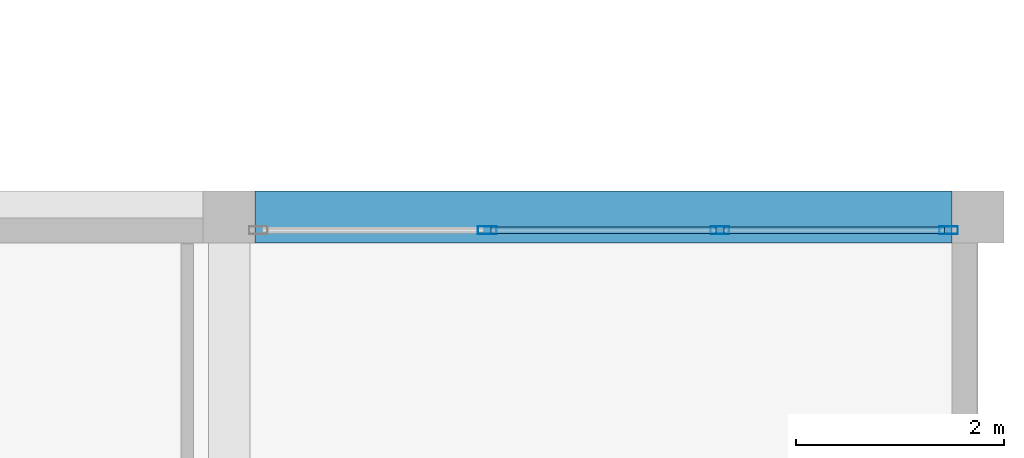
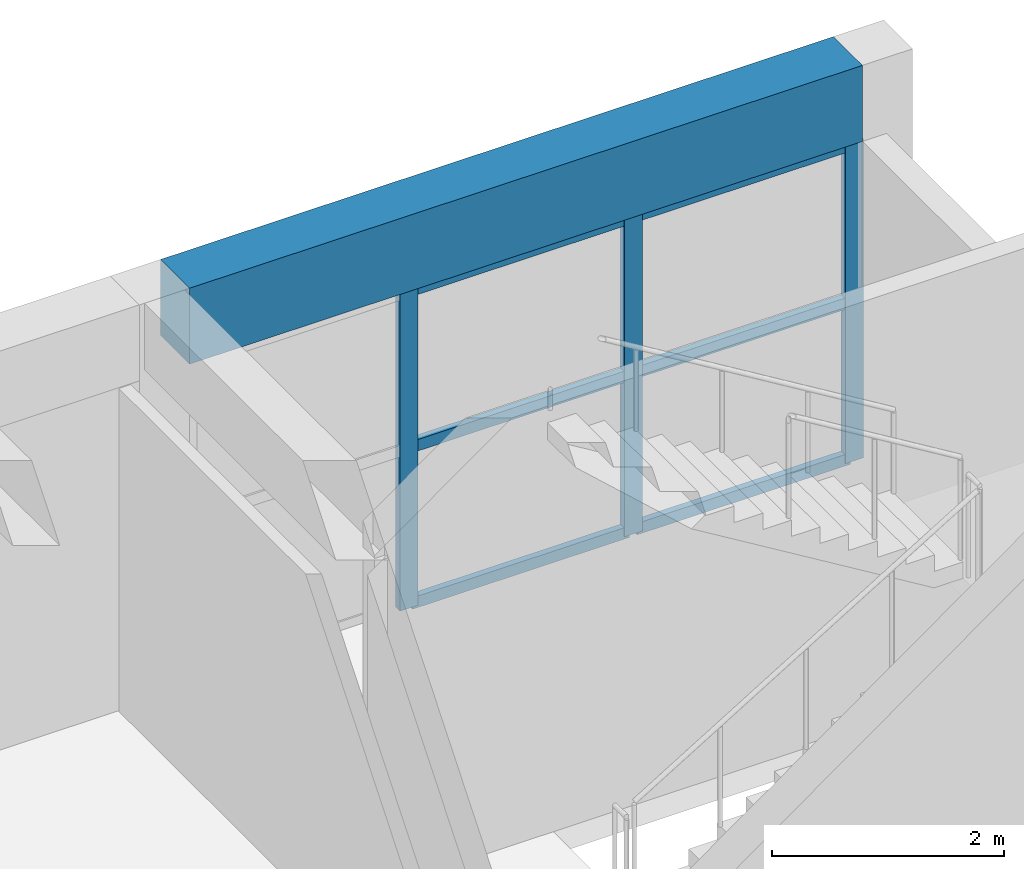
# One storey, part 114 of 153: 9 members, 1 beam, 1 element without a shape of its own.
"""IFC4 building model written with IfcOpenShell, lengths in metres."""

from ifc_helpers import new_model, si_unit, direction, frame, origin, origin_2d, place, context, subcontext, project, spatial, rectangle, hollow_rectangle, extrude, material, material_profile, profile_set, type_object, element, aggregate, save


model = new_model("IFC4")

# Units and contexts
model_context = context("Model", 3, precision=1e-05, world=origin(), true_north=direction((0.0, 1.0)))
body_context = subcontext(model_context, "Body", "Model", "MODEL_VIEW")
ifc_project = project(units=[si_unit("LENGTHUNIT", "METRE"), si_unit("AREAUNIT", "SQUARE_METRE"), si_unit("VOLUMEUNIT", "CUBIC_METRE"), si_unit("PLANEANGLEUNIT", "RADIAN"), si_unit("MASSUNIT", "GRAM", prefix="KILO")], contexts=[model_context])

# Site, building, storey
site_placement = place(None, origin())
site = spatial("IfcSite", under=ifc_project, at=site_placement, CompositionType="ELEMENT")
building_placement = place(site_placement, origin())
building = spatial("IfcBuilding", under=site, at=building_placement, Name="Bramvelor Terrace Health Centre", CompositionType="ELEMENT")
storey_placement = place(building_placement, frame((0.0, 0.0, 4.800048828125)))
storey = spatial("IfcBuildingStorey", under=building, at=storey_placement, Name="L02", CompositionType="ELEMENT", Elevation=4.800048828125)

# Beam
ifc_material_1 = material(Name="Concrete C40/50", Category="concrete")
ifc_material_profile_1 = material_profile(ifc_material_1, rectangle(XDim=0.5, YDim=0.800048828125, at=origin_2d()), Name="RC 500x800")
ifc_profile_set_1 = profile_set([ifc_material_profile_1], Name="Concrete C40/50")
beam_type = type_object("IfcBeamType", Name="BM-RC-G800", PredefinedType="BEAM", material=ifc_profile_set_1)
beam_placement = place(storey_placement, frame((158.64990234375, 64.800048828125, 3.800048828125), z_axis=(1.0, 0.0, 0.0), x_axis=(0.0, 1.0, 0.0)))
element("IfcBeam", 1, at=beam_placement, inside=storey, type_object=beam_type, Name="L02 Floor Girder", PredefinedType="BEAM", context=body_context, shape_type="SweptSolid", body=[
    extrude(rectangle(XDim=0.5, YDim=0.800048828125, at=origin_2d()), origin(), (0.0, 0.0, 1.0), 6.7001953125),
])

# Curtain wall, members
ifc_material_2 = material(Name="Anodized aluminium and double low-E glass", Category="aluminium")
curtain_wall_type = type_object("IfcCurtainWallType", Name="CW-SYS-16", PredefinedType="NOTDEFINED", material=ifc_material_2)
curtain_wall_placement = place(storey_placement, origin())
curtain_wall = element("IfcCurtainWall", 2, at=curtain_wall_placement, inside=storey, type_object=curtain_wall_type, Name="L02 Unitized Curtain Wall 105", PredefinedType="NOTDEFINED")
ifc_material_3 = material(Name="Anodized aluminium 6063-T6", Category="aluminium")
ifc_material_profile_2 = material_profile(ifc_material_3, hollow_rectangle(XDim=0.074951171875, YDim=0.179931640625, WallThickness=0.00341796875, at=origin_2d()), Name="ALU-MUL 75x180x3.5")
ifc_profile_set_2 = profile_set([ifc_material_profile_2], Name="Anodized aluminium 6063-T6")
member_type_1 = type_object("IfcMemberType", Name="CW-MUL-65x180", PredefinedType="MULLION", material=ifc_profile_set_2)
member_1_placement = place(storey_placement, frame((160.881591796875, 64.669921875, 0.0), z_axis=(0.0, 0.0, 1.0), x_axis=(0.0, 1.0, 0.0)))
member_1 = element("IfcMember", 3, at=member_1_placement, type_object=member_type_1, Name="CW-16 mullion 2", PredefinedType="MULLION", context=body_context, shape_type="SweptSolid", body=[
    extrude(hollow_rectangle(XDim=0.074951171875, YDim=0.179931640625, WallThickness=0.00341796875, at=origin_2d()), origin(), (0.0, 0.0, 1.0), 3.35986328125),
])
member_2_placement = place(storey_placement, frame((163.118408203125, 64.669921875, 0.0), z_axis=(0.0, 0.0, 1.0), x_axis=(0.0, 1.0, 0.0)))
member_2 = element("IfcMember", 4, at=member_2_placement, type_object=member_type_1, Name="CW-16 mullion 3", PredefinedType="MULLION", context=body_context, shape_type="SweptSolid", body=[
    extrude(hollow_rectangle(XDim=0.074951171875, YDim=0.179931640625, WallThickness=0.00341796875, at=origin_2d()), origin(), (0.0, 0.0, 1.0), 3.35986328125),
])
member_3_placement = place(storey_placement, frame((165.3173828125, 64.669921875, 0.0), z_axis=(0.0, 0.0, 1.0), x_axis=(0.0, 1.0, 0.0)))
member_3 = element("IfcMember", 5, at=member_3_placement, type_object=member_type_1, Name="CW-16 mullion 4", PredefinedType="MULLION", context=body_context, shape_type="SweptSolid", body=[
    extrude(hollow_rectangle(XDim=0.074951171875, YDim=0.179931640625, WallThickness=0.00341796875, at=origin_2d()), origin(), (0.0, 0.0, 1.0), 3.35986328125),
])
ifc_material_4 = material(Name="Anodized aluminium 6063-T6", Category="aluminium")
ifc_material_profile_3 = material_profile(ifc_material_4, hollow_rectangle(XDim=0.06494140625, YDim=0.1201171875, WallThickness=0.0029296875, at=origin_2d()), Name="ALU-TRN 65x120x3.0")
ifc_profile_set_3 = profile_set([ifc_material_profile_3], Name="Anodized aluminium 6063-T6")
member_type_2 = type_object("IfcMemberType", Name="CW-TRN-65x150", PredefinedType="USERDEFINED", material=ifc_profile_set_3)
member_4_placement = place(storey_placement, frame((160.919189453125, 64.669921875, 0.032470703125), z_axis=(1.0, 0.0, 0.0), x_axis=(0.0, 1.0, 0.0)))
member_4 = element("IfcMember", 6, at=member_4_placement, type_object=member_type_2, Name="CW-16 transom 2.1", ObjectType="TRANSOM", PredefinedType="USERDEFINED", context=body_context, shape_type="SweptSolid", body=[
    extrude(hollow_rectangle(XDim=0.06494140625, YDim=0.1201171875, WallThickness=0.0029296875, at=origin_2d()), origin(), (0.0, 0.0, 1.0), 2.16162109375),
])
member_5_placement = place(storey_placement, frame((160.919189453125, 64.669921875, 1.679931640625), z_axis=(1.0, 0.0, 0.0), x_axis=(0.0, 1.0, 0.0)))
member_5 = element("IfcMember", 7, at=member_5_placement, type_object=member_type_2, Name="CW-16 transom 2.2", ObjectType="TRANSOM", PredefinedType="USERDEFINED", context=body_context, shape_type="SweptSolid", body=[
    extrude(hollow_rectangle(XDim=0.06494140625, YDim=0.1201171875, WallThickness=0.0029296875, at=origin_2d()), origin(), (0.0, 0.0, 1.0), 2.16162109375),
])
member_6_placement = place(storey_placement, frame((160.919189453125, 64.669921875, 3.327392578125), z_axis=(1.0, 0.0, 0.0), x_axis=(0.0, 1.0, 0.0)))
member_6 = element("IfcMember", 8, at=member_6_placement, type_object=member_type_2, Name="CW-16 transom 2.3", ObjectType="TRANSOM", PredefinedType="USERDEFINED", context=body_context, shape_type="SweptSolid", body=[
    extrude(hollow_rectangle(XDim=0.06494140625, YDim=0.1201171875, WallThickness=0.0029296875, at=origin_2d()), origin(), (0.0, 0.0, 1.0), 2.16162109375),
])
member_7_placement = place(storey_placement, frame((163.15576171875, 64.669921875, 0.032470703125), z_axis=(1.0, 0.0, 0.0), x_axis=(0.0, 1.0, 0.0)))
member_7 = element("IfcMember", 9, at=member_7_placement, type_object=member_type_2, Name="CW-16 transom 3.1", ObjectType="TRANSOM", PredefinedType="USERDEFINED", context=body_context, shape_type="SweptSolid", body=[
    extrude(hollow_rectangle(XDim=0.06494140625, YDim=0.1201171875, WallThickness=0.0029296875, at=origin_2d()), origin(), (0.0, 0.0, 1.0), 2.124267578125),
])
member_8_placement = place(storey_placement, frame((163.15576171875, 64.669921875, 1.679931640625), z_axis=(1.0, 0.0, 0.0), x_axis=(0.0, 1.0, 0.0)))
member_8 = element("IfcMember", 10, at=member_8_placement, type_object=member_type_2, Name="CW-16 transom 3.2", ObjectType="TRANSOM", PredefinedType="USERDEFINED", context=body_context, shape_type="SweptSolid", body=[
    extrude(hollow_rectangle(XDim=0.06494140625, YDim=0.1201171875, WallThickness=0.0029296875, at=origin_2d()), origin(), (0.0, 0.0, 1.0), 2.124267578125),
])
member_9_placement = place(storey_placement, frame((163.15576171875, 64.669921875, 3.327392578125), z_axis=(1.0, 0.0, 0.0), x_axis=(0.0, 1.0, 0.0)))
member_9 = element("IfcMember", 11, at=member_9_placement, type_object=member_type_2, Name="CW-16 transom 3.3", ObjectType="TRANSOM", PredefinedType="USERDEFINED", context=body_context, shape_type="SweptSolid", body=[
    extrude(hollow_rectangle(XDim=0.06494140625, YDim=0.1201171875, WallThickness=0.0029296875, at=origin_2d()), origin(), (0.0, 0.0, 1.0), 2.124267578125),
])
aggregate(curtain_wall, [member_1, member_2, member_3, member_4, member_5, member_6, member_7, member_8, member_9])

save(model, "model.ifc")
